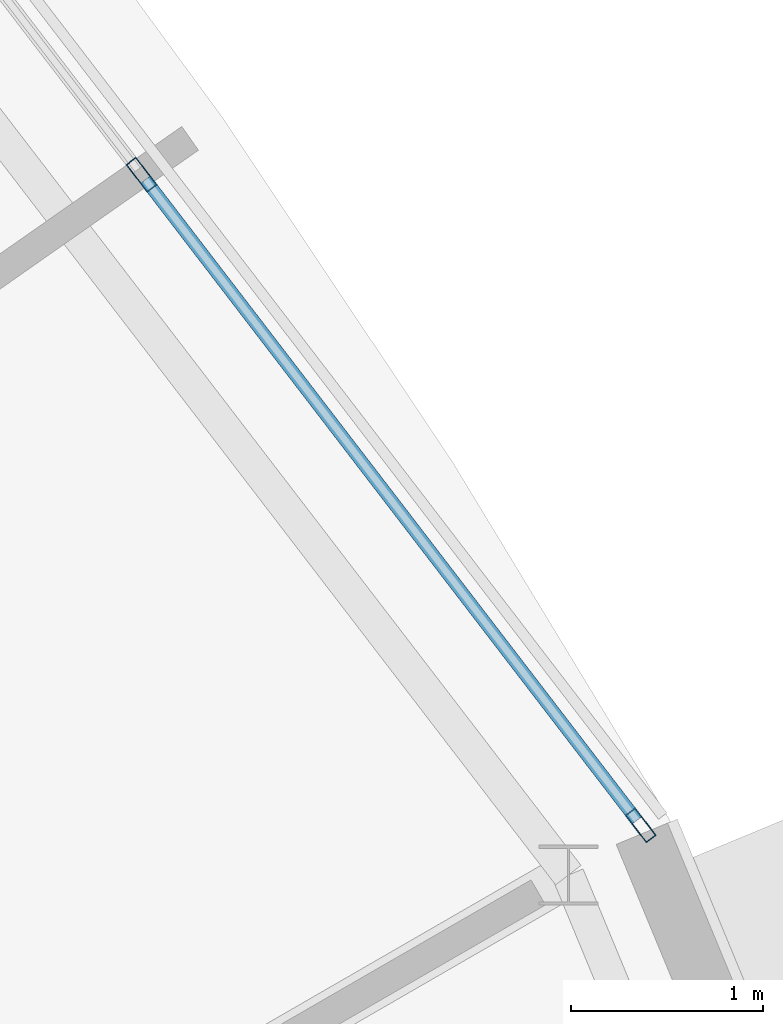
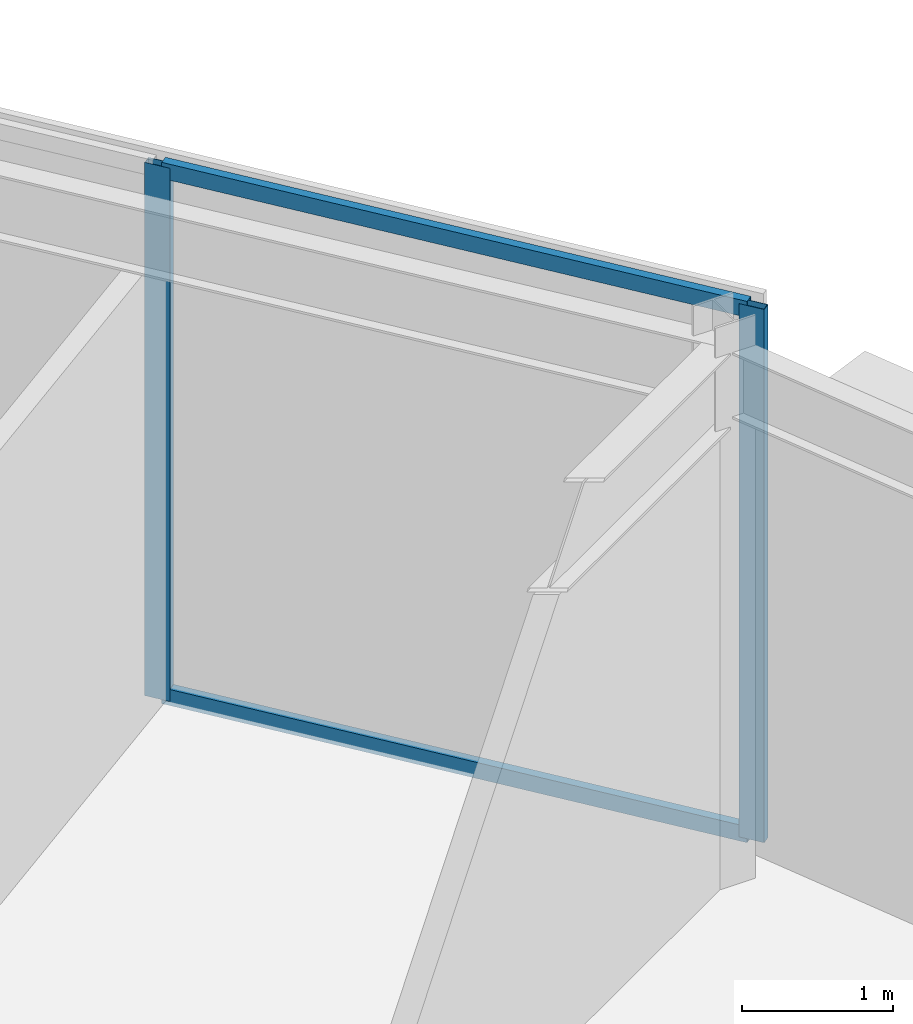
# One storey, part 40 of 89: 4 members, 1 element without a shape of its own.
"""IFC4 building model written with IfcOpenShell, lengths in metres."""

from ifc_helpers import new_model, si_unit, direction, frame, origin, origin_2d, place, context, subcontext, project, spatial, hollow_rectangle, extrude, material, material_profile, profile_set, type_object, element, aggregate, save


model = new_model("IFC4")

# Units and contexts
model_context = context("Model", 3, precision=1e-05, world=origin(), true_north=direction((0.0, 1.0)))
body_context = subcontext(model_context, "Body", "Model", "MODEL_VIEW")
ifc_project = project(units=[si_unit("LENGTHUNIT", "METRE"), si_unit("AREAUNIT", "SQUARE_METRE"), si_unit("VOLUMEUNIT", "CUBIC_METRE"), si_unit("PLANEANGLEUNIT", "RADIAN"), si_unit("MASSUNIT", "GRAM", prefix="KILO")], contexts=[model_context])

# Site, building, storey
site_placement = place(None, origin())
site = spatial("IfcSite", under=ifc_project, at=site_placement, CompositionType="ELEMENT")
building_placement = place(site_placement, origin())
building = spatial("IfcBuilding", under=site, at=building_placement, Name="Almandine Court Research Institute", CompositionType="ELEMENT")
storey_placement = place(building_placement, frame((0.0, 0.0, 18.89990234375)))
storey = spatial("IfcBuildingStorey", under=building, at=storey_placement, Name="L04", CompositionType="ELEMENT", Elevation=18.89990234375)

# Curtain wall, members
ifc_material_1 = material(Name="Unitised Curtain Wall Framing and Solar Glazing", Category="glass")
curtain_wall_type = type_object("IfcCurtainWallType", Name="CW-CWJ-21", PredefinedType="USERDEFINED", material=ifc_material_1)
curtain_wall_placement = place(storey_placement, origin())
curtain_wall = element("IfcCurtainWall", 1, at=curtain_wall_placement, inside=storey, type_object=curtain_wall_type, Name="L04 Stacked-Ring Drum Outer Solar Jali Screen 02", ObjectType="SOLAR JALI SCREEN", PredefinedType="USERDEFINED")
ifc_material_2 = material(Name="Anodised Aluminium AW-6063-T6", Category="aluminium")
ifc_material_profile_1 = material_profile(ifc_material_2, hollow_rectangle(XDim=0.06494140625, YDim=0.179931640625, WallThickness=0.00390625, at=origin_2d()), Name="ALU RHS 65x180x4")
ifc_profile_set_1 = profile_set([ifc_material_profile_1], Name="Anodised Aluminium AW-6063-T6")
member_type_1 = type_object("IfcMemberType", Name="CWMul-65x180", PredefinedType="MULLION", material=ifc_profile_set_1)
member_1_placement = place(storey_placement, frame((127.132080078125, 84.088623046875, 0.0), z_axis=(0.0, 0.0, 1.0), x_axis=(0.793382586046, 0.608723313303, 0.0)))
member_1 = element("IfcMember", 2, at=member_1_placement, type_object=member_type_1, Name="CWJ-21 mullion 3", PredefinedType="MULLION", context=body_context, shape_type="SweptSolid", body=[
    extrude(hollow_rectangle(XDim=0.06494140625, YDim=0.179931640625, WallThickness=0.00390625, at=origin_2d()), origin(), (0.0, 0.0, 1.0), 4.31005859375),
])
member_2_placement = place(storey_placement, frame((129.72509765625, 80.708740234375, 0.0), z_axis=(0.0, 0.0, 1.0), x_axis=(0.793382586046, 0.608723313303, 0.0)))
member_2 = element("IfcMember", 3, at=member_2_placement, type_object=member_type_1, Name="CWJ-21 mullion 4", PredefinedType="MULLION", context=body_context, shape_type="SweptSolid", body=[
    extrude(hollow_rectangle(XDim=0.06494140625, YDim=0.179931640625, WallThickness=0.00390625, at=origin_2d()), origin(), (0.0, 0.0, 1.0), 4.31005859375),
])
ifc_material_profile_2 = material_profile(ifc_material_2, hollow_rectangle(XDim=0.06494140625, YDim=0.1298828125, WallThickness=0.00390625, at=origin_2d()), Name="ALU RHS 65x130x4")
ifc_profile_set_2 = profile_set([ifc_material_profile_2], Name="Anodised Aluminium AW-6063-T6")
member_type_2 = type_object("IfcMemberType", Name="CWTrn-65x130", PredefinedType="NOTDEFINED", material=ifc_profile_set_2)
member_3_placement = place(storey_placement, frame((127.15185546875, 84.06298828125, 0.03271484375), z_axis=(0.608689308041, -0.793408675449, 0.0), x_axis=(0.793408675449, 0.608689308041, 0.0)))
member_3 = element("IfcMember", 4, at=member_3_placement, type_object=member_type_2, Name="CWJ-21 transom 3.1", ObjectType="TRANSOM", PredefinedType="USERDEFINED", context=body_context, shape_type="SweptSolid", body=[
    extrude(hollow_rectangle(XDim=0.06494140625, YDim=0.1298828125, WallThickness=0.00390625, at=origin_2d()), origin(), (0.0, 0.0, 1.0), 4.195068359375),
])
member_4_placement = place(storey_placement, frame((127.15185546875, 84.06298828125, 4.277587890625), z_axis=(0.608689308041, -0.793408675449, 0.0), x_axis=(0.793408675449, 0.608689308041, 0.0)))
member_4 = element("IfcMember", 5, at=member_4_placement, type_object=member_type_2, Name="CWJ-21 transom 3.2", ObjectType="TRANSOM", PredefinedType="USERDEFINED", context=body_context, shape_type="SweptSolid", body=[
    extrude(hollow_rectangle(XDim=0.06494140625, YDim=0.1298828125, WallThickness=0.00390625, at=origin_2d()), origin(), (0.0, 0.0, 1.0), 4.195068359375),
])
aggregate(curtain_wall, [member_1, member_2, member_3, member_4])

save(model, "model.ifc")
